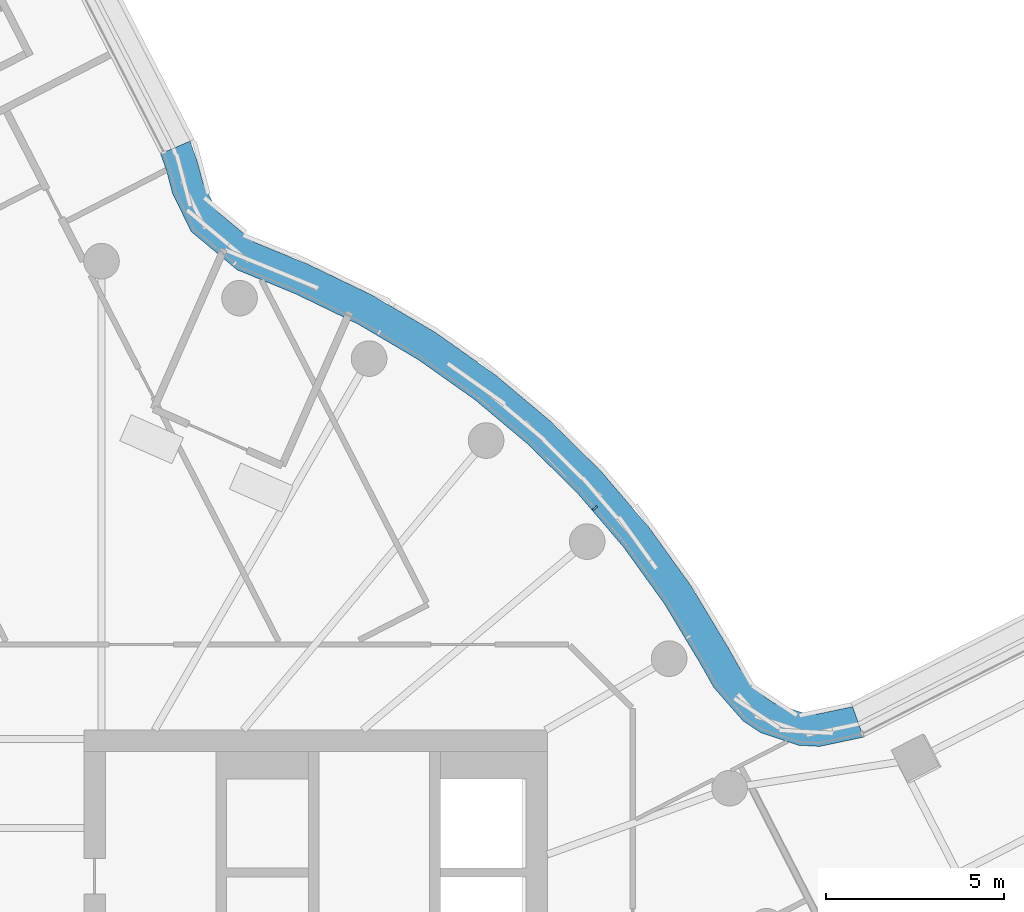
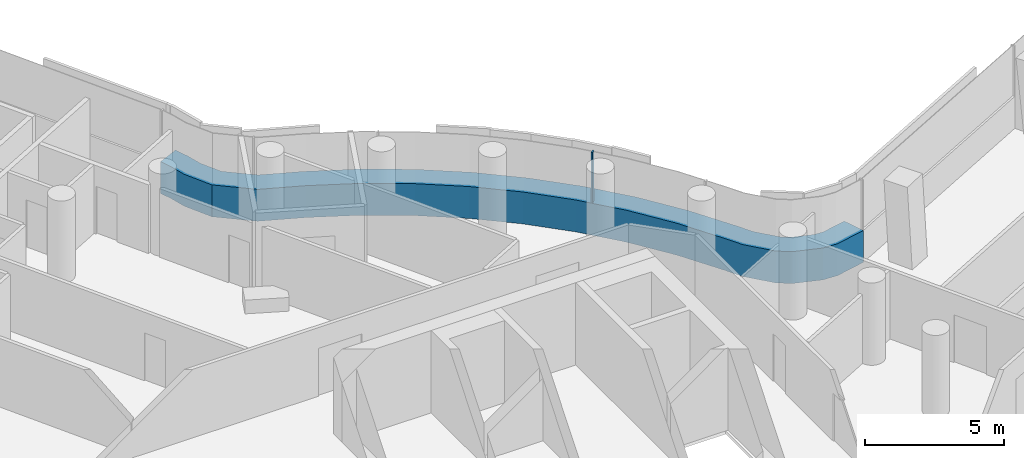
# One storey, part 18 of 37: 2 members, 1 element without a shape of its own.
"""IFC4 building model written with IfcOpenShell, lengths in metres."""

from ifc_helpers import new_model, si_unit, direction, frame, origin, origin_2d, place, context, subcontext, project, spatial, polyline, rectangle, outline, extrude, material, layer, layer_set, material_profile, profile_set, type_object, element, aggregate, save


model = new_model("IFC4")

# Units and contexts
model_context = context("Model", 3, precision=1e-05, world=origin(), true_north=direction((0.0, 1.0)))
body_context = subcontext(model_context, "Body", "Model", "MODEL_VIEW")
ifc_project = project(units=[si_unit("LENGTHUNIT", "METRE"), si_unit("AREAUNIT", "SQUARE_METRE"), si_unit("VOLUMEUNIT", "CUBIC_METRE"), si_unit("PLANEANGLEUNIT", "RADIAN"), si_unit("MASSUNIT", "GRAM", prefix="KILO")], contexts=[model_context])

# Site, building, storey
site_placement = place(None, origin())
site = spatial("IfcSite", under=ifc_project, at=site_placement, CompositionType="ELEMENT")
building_placement = place(site_placement, origin())
building = spatial("IfcBuilding", under=site, at=building_placement, Name="Tamarind Cross Interchange Tower", CompositionType="ELEMENT")
storey_placement = place(building_placement, frame((0.0, 0.0, 133.0)))
storey = spatial("IfcBuildingStorey", under=building, at=storey_placement, Name="L32", CompositionType="ELEMENT", Elevation=133.0)

# Curtain wall, members
ifc_material_1 = material(Name="Aluminium 6063-T6", Category="aluminium")
ifc_layer = layer(ifc_material_1, 0.14990234375)
ifc_layer_set = layer_set([ifc_layer], Name="Aluminium 6063-T6")
curtain_wall_type = type_object("IfcCurtainWallType", Name="Winter garden and crown curtain wall", PredefinedType="NOTDEFINED", material=ifc_layer_set)
curtain_wall_placement = place(storey_placement, origin())
curtain_wall = element("IfcCurtainWall", 1, at=curtain_wall_placement, inside=storey, type_object=curtain_wall_type, Name="CWS-L32-10", PredefinedType="NOTDEFINED")
ifc_material_2 = material(Name="Aluminium and insulated spandrel panel", Category="aluminium")
member_type_1 = type_object("IfcMemberType", Name="Floor-edge blade transom", PredefinedType="USERDEFINED", material=ifc_material_2)
member_1_placement = place(storey_placement, origin())
member_1 = element("IfcMember", 2, at=member_1_placement, type_object=member_type_1, Name="CWT-L32-10", ObjectType="TRANSOM", PredefinedType="USERDEFINED", context=body_context, shape_type="SweptSolid", body=[
    extrude(outline(polyline([(25.368408203125, 9.29833984375), (24.1435546875, 9.03857421875), (23.550048828125, 9.07177734375), (22.48876953125, 9.424560546875), (21.993408203125, 9.75341796875), (21.173583984375, 10.6884765625), (20.795166015625, 11.360595703125), (19.78125, 13.045654296875), (18.636474609375, 14.634521484375), (17.3642578125, 16.12353515625), (15.973388671875, 17.50244140625), (14.4736328125, 18.76171875), (12.874755859375, 19.892822265625), (11.188232421875, 20.88818359375), (9.422119140625, 21.7421875), (7.802734375, 22.406982421875), (6.515869140625, 23.47705078125), (5.989990234375, 24.54150390625), (5.816162109375, 25.200927734375), (5.6513671875, 25.662109375), (6.47900390625, 26.0205078125), (6.6767578125, 25.467529296875), (6.837158203125, 24.85888671875), (7.23828125, 24.047119140625), (8.272216796875, 23.18701171875), (9.7890625, 22.564208984375), (11.613525390625, 21.68212890625), (13.3642578125, 20.64892578125), (15.023681640625, 19.474853515625), (16.580810546875, 18.167724609375), (18.0244140625, 16.736572265625), (19.344970703125, 15.19091796875), (20.533203125, 13.54150390625), (21.572998046875, 11.8134765625), (21.912109375, 11.21142578125), (22.591064453125, 10.436767578125), (22.886474609375, 10.24072265625), (23.72021484375, 9.963623046875), (24.07421875, 9.94384765625), (25.065185546875, 10.154052734375), (25.368408203125, 9.29833984375)])), origin(), (0.0, 0.0, 1.0), 1.39990234375),
])
ifc_material_profile = material_profile(ifc_material_1, rectangle(XDim=0.06005859375, YDim=0.14990234375, at=origin_2d()), Name="Mullion CW6")
ifc_profile_set = profile_set([ifc_material_profile], Name="Aluminium 6063-T6")
member_type_2 = type_object("IfcMemberType", Name="Mullion CW6", PredefinedType="MULLION", material=ifc_profile_set)
member_2_placement = place(storey_placement, frame((17.83740234375, 15.7236328125, 1.39990234375), z_axis=(0.0, 0.0, 1.0), x_axis=(-0.64957723968, 0.760295606781, 0.0)))
member_2 = element("IfcMember", 3, at=member_2_placement, type_object=member_type_2, Name="CWM-L32-10-02", PredefinedType="MULLION", context=body_context, shape_type="SweptSolid", body=[
    extrude(rectangle(XDim=0.06005859375, YDim=0.14990234375, at=origin_2d()), origin(), (0.0, 0.0, 1.0), 2.210205078125),
])
aggregate(curtain_wall, [member_2, member_1])

save(model, "model.ifc")
